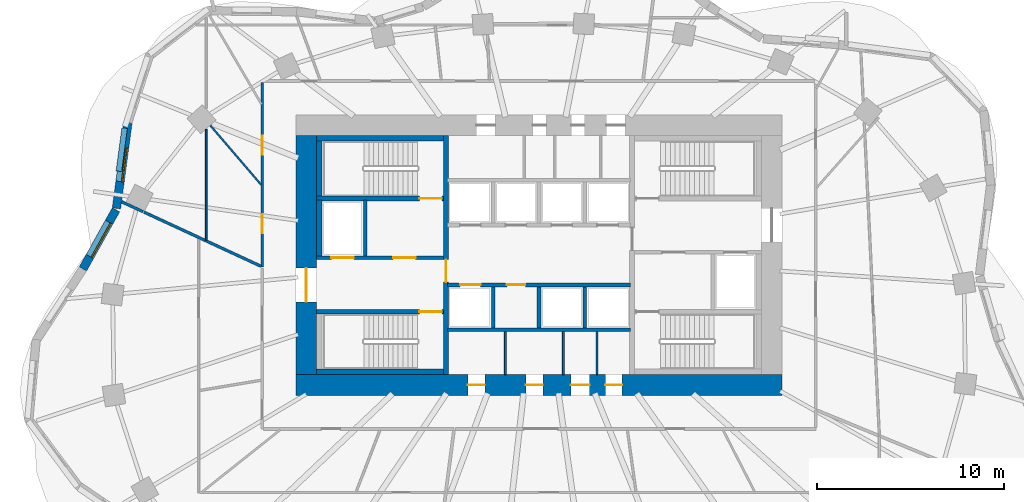
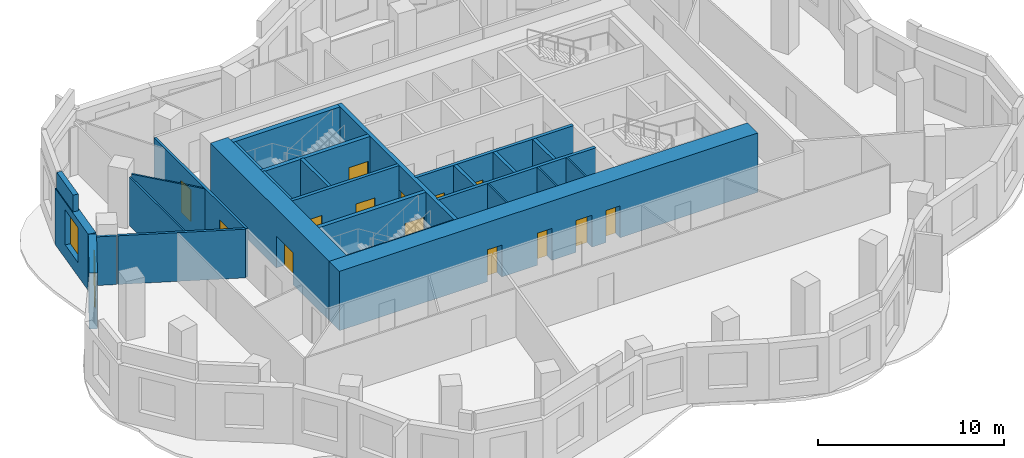
# One storey, part 4 of 9: 27 walls, 14 doors, 2 windows, 16 openings.
"""IFC4 building model written with IfcOpenShell, lengths in metres."""

from ifc_helpers import new_model, si_unit, direction, frame, frame_2d, origin, place, context, subcontext, project, spatial, rectangle, extrude, material, layer, layer_set, type_object, element, fill, save


model = new_model("IFC4")

# Units and contexts
model_context = context("Model", 3, precision=1e-05, world=origin(), true_north=direction((0.0, 1.0)))
body_context = subcontext(model_context, "Body", "Model", "MODEL_VIEW")
ifc_project = project(units=[si_unit("LENGTHUNIT", "METRE"), si_unit("AREAUNIT", "SQUARE_METRE"), si_unit("VOLUMEUNIT", "CUBIC_METRE"), si_unit("PLANEANGLEUNIT", "RADIAN"), si_unit("MASSUNIT", "GRAM", prefix="KILO")], contexts=[model_context])

# Site, building, storey
site_placement = place(None, origin())
site = spatial("IfcSite", under=ifc_project, at=site_placement, CompositionType="ELEMENT")
building_placement = place(site_placement, origin())
building = spatial("IfcBuilding", under=site, at=building_placement, Name="Rubra Terraces Tower", CompositionType="ELEMENT")
storey_placement = place(building_placement, frame((0.0, 0.0, 130.5)))
storey = spatial("IfcBuildingStorey", under=building, at=storey_placement, Name="L31", CompositionType="ELEMENT", Elevation=130.5)

# Wall, opening, window
ifc_material_1 = material(Name="Brick masonry red-brown", Category="masonry")
ifc_layer_1 = layer(ifc_material_1, 0.449951171875)
ifc_layer_set_1 = layer_set([ifc_layer_1], Name="Brick masonry red-brown")
wall_type_1 = type_object("IfcWallType", Name="Brick facade wall 450", PredefinedType="SOLIDWALL", material=ifc_layer_set_1)
wall_1_placement = place(storey_placement, frame((-21.97705078125, 11.652099609375, 0.0), z_axis=(0.0, 0.0, 1.0), x_axis=(-0.132606175271, -0.991168806148, 0.0)))
wall_1 = element("IfcWall", 1, at=wall_1_placement, inside=storey, type_object=wall_type_1, Name="Facade wall L31 bay 18", PredefinedType="SOLIDWALL", context=body_context, shape_type="SweptSolid", body=[
    extrude(rectangle(XDim=4.698486328125, YDim=0.449951171875, at=frame_2d((2.34912109375, 0.0))), origin(), (0.0, 0.0, 1.0), 3.699951171875),
])
opening_1_placement = place(wall_1_placement, frame((1.44921875, 0.0, 0.89990234375)))
opening_1 = element("IfcOpeningElement", 2, at=opening_1_placement, cuts=wall_1, Name="Opening W6B", PredefinedType="OPENING", context=body_context, shape_type="SweptSolid", body=[
    extrude(rectangle(XDim=1.800048828125, YDim=2.300048828125, at=frame_2d((0.89990234375, 1.14990234375))), frame((0.0, 0.23486328125, 0.0), z_axis=(0.0, -1.0, 0.0), x_axis=(1.0, 0.0, 0.0)), (0.0, 0.0, 1.0), 0.469970703125),
])
ifc_material_2 = material(Name="Clear glass in aluminium frame", Category="aluminium")
window_type_1 = type_object("IfcWindowType", Name="Fixed deep-set window at wind fin tall storey 1800 x 2300", PartitioningType="SINGLE_PANEL", PredefinedType="WINDOW", material=ifc_material_2)
window_1_placement = place(opening_1_placement, origin())
window_1 = element("IfcWindow", 3, at=window_1_placement, inside=storey, type_object=window_type_1, Name="Window L31 bay 18", OverallHeight=2.300048828125, OverallWidth=1.800048828125, PartitioningType="SINGLE_PANEL", PredefinedType="WINDOW", context=body_context, shape_type="SweptSolid", body=[
    extrude(rectangle(XDim=1.800048828125, YDim=2.300048828125, at=frame_2d((0.89990234375, 1.14990234375))), frame((0.0, 0.135009765625, 0.0), z_axis=(0.0, -1.0, 0.0), x_axis=(1.0, 0.0, 0.0)), (0.0, 0.0, 1.0), 0.06005859375),
])
fill(opening_1, window_1)

wall_2_placement = place(storey_placement, frame((-22.623779296875, 6.920166015625, 0.0), z_axis=(0.0, 0.0, 1.0), x_axis=(-0.488352973107, -0.872646190422, 0.0)))
wall_2 = element("IfcWall", 4, at=wall_2_placement, inside=storey, type_object=wall_type_1, Name="Facade wall L31 bay 19", PredefinedType="SOLIDWALL", context=body_context, shape_type="SweptSolid", body=[
    extrude(rectangle(XDim=3.62255859375, YDim=0.449951171875, at=frame_2d((1.811279296875, 0.0))), origin(), (0.0, 0.0, 1.0), 3.699951171875),
])
opening_2_placement = place(wall_2_placement, frame((0.760986328125, 0.0, 0.89990234375)))
opening_2 = element("IfcOpeningElement", 5, at=opening_2_placement, cuts=wall_2, Name="Opening W1B", PredefinedType="OPENING", context=body_context, shape_type="SweptSolid", body=[
    extrude(rectangle(XDim=2.10009765625, YDim=2.300048828125, at=frame_2d((1.050048828125, 1.14990234375))), frame((0.0, 0.23486328125, 0.0), z_axis=(0.0, -1.0, 0.0), x_axis=(1.0, 0.0, 0.0)), (0.0, 0.0, 1.0), 0.469970703125),
])
window_type_2 = type_object("IfcWindowType", Name="Fixed deep-set window tall storey 2100 x 2300", PartitioningType="SINGLE_PANEL", PredefinedType="WINDOW", material=ifc_material_2)
window_2_placement = place(opening_2_placement, origin())
window_2 = element("IfcWindow", 6, at=window_2_placement, inside=storey, type_object=window_type_2, Name="Window L31 bay 19", OverallHeight=2.300048828125, OverallWidth=2.10009765625, PartitioningType="SINGLE_PANEL", PredefinedType="WINDOW", context=body_context, shape_type="SweptSolid", body=[
    extrude(rectangle(XDim=2.10009765625, YDim=2.300048828125, at=frame_2d((1.050048828125, 1.14990234375))), frame((0.0, 0.135009765625, 0.0), z_axis=(0.0, -1.0, 0.0), x_axis=(1.0, 0.0, 0.0)), (0.0, 0.0, 1.0), 0.06005859375),
])
fill(opening_2, window_2)

# Wall
ifc_layer_2 = layer(ifc_material_1, 0.300048828125)
ifc_layer_set_2 = layer_set([ifc_layer_2], Name="Brick masonry red-brown")
wall_type_2 = type_object("IfcWallType", Name="Brick parapet 300", PredefinedType="PARAPET", material=ifc_layer_set_2)
wall_3_placement = place(storey_placement, frame((-22.161865234375, 11.28759765625, 3.89990234375), z_axis=(0.0, 0.0, 1.0), x_axis=(-0.132583148979, -0.991171886509, 0.0)))
element("IfcWall", 7, at=wall_3_placement, inside=storey, type_object=wall_type_2, Name="Parapet L31 bay 18", PredefinedType="PARAPET", context=body_context, shape_type="SweptSolid", body=[
    extrude(rectangle(XDim=2.32568359375, YDim=0.300048828125, at=frame_2d((1.162841796875, 0.0))), origin(), (0.0, 0.0, 1.0), 1.10009765625),
])

# Wall, openings, doors
ifc_material_3 = material(Name="Concrete C60", Category="concrete")
ifc_layer_3 = layer(ifc_material_3, 1.10009765625)
ifc_layer_set_3 = layer_set([ifc_layer_3], Name="Concrete C60")
wall_type_3 = type_object("IfcWallType", Name="CORE WALL 1100 C60", PredefinedType="SHEAR", material=ifc_layer_set_3)
wall_4_placement = place(storey_placement, frame((-13.0, -2.449951171875, 0.0), z_axis=(0.0, 0.0, 1.0), x_axis=(1.0, 0.0, 0.0)))
wall_4 = element("IfcWall", 8, at=wall_4_placement, inside=storey, type_object=wall_type_3, Name="CORE WALL S L31", PredefinedType="SHEAR", context=body_context, shape_type="SweptSolid", body=[
    extrude(rectangle(XDim=26.0, YDim=1.10009765625, at=frame_2d((13.0, 0.0))), origin(), (0.0, 0.0, 1.0), 3.89990234375),
])
opening_3_placement = place(wall_4_placement, frame((9.199951171875, 0.0, 0.0)))
opening_3 = element("IfcOpeningElement", 9, at=opening_3_placement, cuts=wall_4, Name="Opening L31.C19", PredefinedType="OPENING", context=body_context, shape_type="SweptSolid", body=[
    extrude(rectangle(XDim=0.89990234375, YDim=2.10009765625, at=frame_2d((0.449951171875, 1.050048828125))), frame((0.0, 0.56005859375, 0.0), z_axis=(0.0, -1.0, 0.0), x_axis=(1.0, 0.0, 0.0)), (0.0, 0.0, 1.0), 1.1201171875),
])
opening_4_placement = place(wall_4_placement, frame((12.300048828125, 0.0, 0.0)))
opening_4 = element("IfcOpeningElement", 10, at=opening_4_placement, cuts=wall_4, Name="Opening L31.C20", PredefinedType="OPENING", context=body_context, shape_type="SweptSolid", body=[
    extrude(rectangle(XDim=0.89990234375, YDim=2.10009765625, at=frame_2d((0.449951171875, 1.050048828125))), frame((0.0, 0.56005859375, 0.0), z_axis=(0.0, -1.0, 0.0), x_axis=(1.0, 0.0, 0.0)), (0.0, 0.0, 1.0), 1.1201171875),
])
opening_5_placement = place(wall_4_placement, frame((14.699951171875, 0.0, 0.0)))
opening_5 = element("IfcOpeningElement", 11, at=opening_5_placement, cuts=wall_4, Name="Opening L31.C21", PredefinedType="OPENING", context=body_context, shape_type="SweptSolid", body=[
    extrude(rectangle(XDim=1.0, YDim=2.10009765625, at=frame_2d((0.5, 1.050048828125))), frame((0.0, 0.56005859375, 0.0), z_axis=(0.0, -1.0, 0.0), x_axis=(1.0, 0.0, 0.0)), (0.0, 0.0, 1.0), 1.1201171875),
])
opening_6_placement = place(wall_4_placement, frame((16.550048828125, 0.0, 0.0)))
opening_6 = element("IfcOpeningElement", 12, at=opening_6_placement, cuts=wall_4, Name="Opening L31.C22", PredefinedType="OPENING", context=body_context, shape_type="SweptSolid", body=[
    extrude(rectangle(XDim=0.89990234375, YDim=2.10009765625, at=frame_2d((0.449951171875, 1.050048828125))), frame((0.0, 0.56005859375, 0.0), z_axis=(0.0, -1.0, 0.0), x_axis=(1.0, 0.0, 0.0)), (0.0, 0.0, 1.0), 1.1201171875),
])
ifc_material_4 = material(Name="Painted steel", Category="steel")
door_type_1 = type_object("IfcDoorType", Name="Fire door 1000x2100 single", OperationType="NOTDEFINED", PredefinedType="DOOR", material=ifc_material_4)
door_1_placement = place(opening_5_placement, origin())
door_1 = element("IfcDoor", 13, at=door_1_placement, inside=storey, type_object=door_type_1, Name="Accessible WC door", OperationType="SINGLE_SWING_LEFT", OverallHeight=2.10009765625, OverallWidth=1.0, PredefinedType="DOOR", context=body_context, shape_type="SweptSolid", body=[
    extrude(rectangle(XDim=1.0, YDim=2.10009765625, at=frame_2d((0.5, 1.050048828125))), frame((0.0, 0.02490234375, 0.0), z_axis=(0.0, -1.0, 0.0), x_axis=(1.0, 0.0, 0.0)), (0.0, 0.0, 1.0), 0.050048828125),
])
fill(opening_5, door_1)
door_type_2 = type_object("IfcDoorType", Name="Fire door 900x2100 single", OperationType="NOTDEFINED", PredefinedType="DOOR", material=ifc_material_4)
door_2_placement = place(opening_3_placement, origin())
door_2 = element("IfcDoor", 14, at=door_2_placement, inside=storey, type_object=door_type_2, Name="Gents WC door", OperationType="SINGLE_SWING_LEFT", OverallHeight=2.10009765625, OverallWidth=0.89990234375, PredefinedType="DOOR", context=body_context, shape_type="SweptSolid", body=[
    extrude(rectangle(XDim=0.89990234375, YDim=2.10009765625, at=frame_2d((0.449951171875, 1.050048828125))), frame((0.0, 0.02490234375, 0.0), z_axis=(0.0, -1.0, 0.0), x_axis=(1.0, 0.0, 0.0)), (0.0, 0.0, 1.0), 0.050048828125),
])
fill(opening_3, door_2)
door_3_placement = place(opening_4_placement, origin())
door_3 = element("IfcDoor", 15, at=door_3_placement, inside=storey, type_object=door_type_2, Name="Ladies WC door", OperationType="SINGLE_SWING_RIGHT", OverallHeight=2.10009765625, OverallWidth=0.89990234375, PredefinedType="DOOR", context=body_context, shape_type="SweptSolid", body=[
    extrude(rectangle(XDim=0.89990234375, YDim=2.10009765625, at=frame_2d((0.449951171875, 1.050048828125))), frame((0.0, 0.02490234375, 0.0), z_axis=(0.0, -1.0, 0.0), x_axis=(1.0, 0.0, 0.0)), (0.0, 0.0, 1.0), 0.050048828125),
])
fill(opening_4, door_3)
door_4_placement = place(opening_6_placement, origin())
door_4 = element("IfcDoor", 16, at=door_4_placement, inside=storey, type_object=door_type_2, Name="Cleaner's store door", OperationType="SINGLE_SWING_RIGHT", OverallHeight=2.10009765625, OverallWidth=0.89990234375, PredefinedType="DOOR", context=body_context, shape_type="SweptSolid", body=[
    extrude(rectangle(XDim=0.89990234375, YDim=2.10009765625, at=frame_2d((0.449951171875, 1.050048828125))), frame((0.0, 0.02490234375, 0.0), z_axis=(0.0, -1.0, 0.0), x_axis=(1.0, 0.0, 0.0)), (0.0, 0.0, 1.0), 0.050048828125),
])
fill(opening_6, door_4)

# Wall, opening, door
wall_5_placement = place(storey_placement, frame((-12.449951171875, -1.89990234375, 0.0), z_axis=(0.0, 0.0, 1.0), x_axis=(0.0, 1.0, 0.0)))
wall_5 = element("IfcWall", 17, at=wall_5_placement, inside=storey, type_object=wall_type_3, Name="CORE WALL W L31", PredefinedType="SHEAR", context=body_context, shape_type="SweptSolid", body=[
    extrude(rectangle(XDim=12.7998046875, YDim=1.10009765625, at=frame_2d((6.39990234375, 0.0))), origin(), (0.0, 0.0, 1.0), 3.89990234375),
])
opening_7_placement = place(wall_5_placement, frame((3.89990234375, 0.0, 0.0)))
opening_7 = element("IfcOpeningElement", 18, at=opening_7_placement, cuts=wall_5, Name="Opening L31.C01", PredefinedType="OPENING", context=body_context, shape_type="SweptSolid", body=[
    extrude(rectangle(XDim=1.800048828125, YDim=2.10009765625, at=frame_2d((0.89990234375, 1.050048828125))), frame((0.0, 0.56005859375, 0.0), z_axis=(0.0, -1.0, 0.0), x_axis=(1.0, 0.0, 0.0)), (0.0, 0.0, 1.0), 1.1201171875),
])
door_type_3 = type_object("IfcDoorType", Name="Fire door 1800x2100 double", OperationType="NOTDEFINED", PredefinedType="DOOR", material=ifc_material_4)
door_5_placement = place(opening_7_placement, origin())
door_5 = element("IfcDoor", 19, at=door_5_placement, inside=storey, type_object=door_type_3, Name="Core entrance door FF1", OperationType="DOUBLE_DOOR_SINGLE_SWING", OverallHeight=2.10009765625, OverallWidth=1.800048828125, PredefinedType="DOOR", context=body_context, shape_type="SweptSolid", body=[
    extrude(rectangle(XDim=1.800048828125, YDim=2.10009765625, at=frame_2d((0.89990234375, 1.050048828125))), frame((0.0, 0.02490234375, 0.0), z_axis=(0.0, -1.0, 0.0), x_axis=(1.0, 0.0, 0.0)), (0.0, 0.0, 1.0), 0.050048828125),
])
fill(opening_7, door_5)

# Wall, openings, doors
ifc_material_5 = material(Name="Plasterboard on steel stud, mineral wool infill", Category="steel")
ifc_layer_4 = layer(ifc_material_5, 0.14990234375)
ifc_layer_set_4 = layer_set([ifc_layer_4], Name="Plasterboard on steel stud, mineral wool infill")
wall_type_4 = type_object("IfcWallType", Name="CORRIDOR PARTITION 150", PredefinedType="PARTITIONING", material=ifc_layer_set_4)
wall_6_placement = place(storey_placement, frame((-14.800048828125, 13.72509765625, 0.0), z_axis=(0.0, 0.0, 1.0), x_axis=(0.0, -1.0, 0.0)))
wall_6 = element("IfcWall", 20, at=wall_6_placement, inside=storey, type_object=wall_type_4, Name="PARTITION", PredefinedType="PARTITIONING", context=body_context, shape_type="SweptSolid", body=[
    extrude(rectangle(XDim=9.857177734375, YDim=0.14990234375, at=frame_2d((4.9287109375, 0.0))), origin(), (0.0, 0.0, 1.0), 3.197998046875),
])
opening_8_placement = place(wall_6_placement, frame((2.85009765625, 0.0, 0.0)))
opening_8 = element("IfcOpeningElement", 21, at=opening_8_placement, cuts=wall_6, Name="Opening 31-118", PredefinedType="OPENING", context=body_context, shape_type="SweptSolid", body=[
    extrude(rectangle(XDim=1.0, YDim=2.10009765625, at=frame_2d((0.5, 1.050048828125))), frame((0.0, 0.0849609375, 0.0), z_axis=(0.0, -1.0, 0.0), x_axis=(1.0, 0.0, 0.0)), (0.0, 0.0, 1.0), 0.169921875),
])
opening_9_placement = place(wall_6_placement, frame((7.050048828125, 0.0, 0.0)))
opening_9 = element("IfcOpeningElement", 22, at=opening_9_placement, cuts=wall_6, Name="Opening 31-119", PredefinedType="OPENING", context=body_context, shape_type="SweptSolid", body=[
    extrude(rectangle(XDim=1.0, YDim=2.10009765625, at=frame_2d((0.5, 1.050048828125))), frame((0.0, 0.0849609375, 0.0), z_axis=(0.0, -1.0, 0.0), x_axis=(1.0, 0.0, 0.0)), (0.0, 0.0, 1.0), 0.169921875),
])
ifc_material_6 = material(Name="Painted timber door leaf", Category="wood")
door_type_4 = type_object("IfcDoorType", Name="ROOM DOOR 1000 X 2100", OperationType="SINGLE_SWING_LEFT", PredefinedType="DOOR", material=ifc_material_6)
door_6_placement = place(opening_8_placement, origin())
door_6 = element("IfcDoor", 23, at=door_6_placement, inside=storey, type_object=door_type_4, Name="DOOR 31-118", OperationType="SINGLE_SWING_RIGHT", OverallHeight=2.10009765625, OverallWidth=1.0, PredefinedType="DOOR", context=body_context, shape_type="SweptSolid", body=[
    extrude(rectangle(XDim=1.0, YDim=2.10009765625, at=frame_2d((0.5, 1.050048828125))), frame((0.0, 0.02490234375, 0.0), z_axis=(0.0, -1.0, 0.0), x_axis=(1.0, 0.0, 0.0)), (0.0, 0.0, 1.0), 0.050048828125),
])
fill(opening_8, door_6)
door_7_placement = place(opening_9_placement, origin())
door_7 = element("IfcDoor", 24, at=door_7_placement, inside=storey, type_object=door_type_4, Name="DOOR 31-119", OperationType="SINGLE_SWING_RIGHT", OverallHeight=2.10009765625, OverallWidth=1.0, PredefinedType="DOOR", context=body_context, shape_type="SweptSolid", body=[
    extrude(rectangle(XDim=1.0, YDim=2.10009765625, at=frame_2d((0.5, 1.050048828125))), frame((0.0, 0.02490234375, 0.0), z_axis=(0.0, -1.0, 0.0), x_axis=(1.0, 0.0, 0.0)), (0.0, 0.0, 1.0), 0.050048828125),
])
fill(opening_9, door_7)

# Walls
ifc_material_7 = material(Name="Concrete C40", Category="concrete")
ifc_layer_5 = layer(ifc_material_7, 0.300048828125)
ifc_layer_set_5 = layer_set([ifc_layer_5], Name="Concrete C40")
wall_type_5 = type_object("IfcWallType", Name="Core lining wall 300 concrete", PredefinedType="SOLIDWALL", material=ifc_layer_set_5)
wall_7_placement = place(storey_placement, frame((-11.89990234375, -1.75, 0.0), z_axis=(0.0, 0.0, 1.0), x_axis=(1.0, 0.0, 0.0)))
element("IfcWall", 25, at=wall_7_placement, inside=storey, type_object=wall_type_5, Name="CORE LINING WALL L31", PredefinedType="SOLIDWALL", context=body_context, shape_type="SweptSolid", body=[
    extrude(rectangle(XDim=6.7998046875, YDim=0.300048828125, at=frame_2d((3.39990234375, 0.0))), origin(), (0.0, 0.0, 1.0), 3.699951171875),
])
wall_8_placement = place(storey_placement, frame((-11.75, 4.449951171875, 0.0), z_axis=(0.0, 0.0, 1.0), x_axis=(0.0, 1.0, 0.0)))
element("IfcWall", 26, at=wall_8_placement, inside=storey, type_object=wall_type_5, Name="CORE LINING WALL L31", PredefinedType="SOLIDWALL", context=body_context, shape_type="SweptSolid", body=[
    extrude(rectangle(XDim=3.0, YDim=0.300048828125, at=frame_2d((1.5, 0.0))), origin(), (0.0, 0.0, 1.0), 3.699951171875),
])
wall_9_placement = place(storey_placement, frame((-11.75, 7.64990234375, 0.0), z_axis=(0.0, 0.0, 1.0), x_axis=(0.0, 1.0, 0.0)))
element("IfcWall", 27, at=wall_9_placement, inside=storey, type_object=wall_type_5, Name="CORE LINING WALL L31", PredefinedType="SOLIDWALL", context=body_context, shape_type="SweptSolid", body=[
    extrude(rectangle(XDim=2.9501953125, YDim=0.300048828125, at=frame_2d((1.47509765625, 0.0))), origin(), (0.0, 0.0, 1.0), 3.699951171875),
])
wall_10_placement = place(storey_placement, frame((-11.89990234375, 10.75, 0.0), z_axis=(0.0, 0.0, 1.0), x_axis=(1.0, 0.0, 0.0)))
element("IfcWall", 28, at=wall_10_placement, inside=storey, type_object=wall_type_5, Name="CORE LINING WALL L31", PredefinedType="SOLIDWALL", context=body_context, shape_type="SweptSolid", body=[
    extrude(rectangle(XDim=6.7998046875, YDim=0.300048828125, at=frame_2d((3.39990234375, 0.0))), origin(), (0.0, 0.0, 1.0), 3.699951171875),
])

# Wall, openings, doors
ifc_material_8 = material(Name="Concrete C30", Category="concrete")
ifc_layer_6 = layer(ifc_material_8, 0.199951171875)
ifc_layer_set_6 = layer_set([ifc_layer_6], Name="Concrete C30")
wall_type_6 = type_object("IfcWallType", Name="Core wall 200 concrete", PredefinedType="SOLIDWALL", material=ifc_layer_set_6)
wall_11_placement = place(storey_placement, frame((-11.89990234375, 4.35009765625, 0.0), z_axis=(0.0, 0.0, 1.0), x_axis=(1.0, 0.0, 0.0)))
wall_11 = element("IfcWall", 29, at=wall_11_placement, inside=storey, type_object=wall_type_6, Name="STAIR WALL L31", PredefinedType="SOLIDWALL", context=body_context, shape_type="SweptSolid", body=[
    extrude(rectangle(XDim=6.7998046875, YDim=0.199951171875, at=frame_2d((3.39990234375, 0.0))), origin(), (0.0, 0.0, 1.0), 3.699951171875),
])
opening_10_placement = place(wall_11_placement, frame((4.10009765625, 0.0, 0.0)))
opening_10 = element("IfcOpeningElement", 30, at=opening_10_placement, cuts=wall_11, Name="Opening L31.C05", PredefinedType="OPENING", context=body_context, shape_type="SweptSolid", body=[
    extrude(rectangle(XDim=1.199951171875, YDim=2.10009765625, at=frame_2d((0.60009765625, 1.050048828125))), frame((0.0, 0.10986328125, 0.0), z_axis=(0.0, -1.0, 0.0), x_axis=(1.0, 0.0, 0.0)), (0.0, 0.0, 1.0), 0.219970703125),
])
opening_11_placement = place(wall_11_placement, frame((0.800048828125, 0.0, 0.0)))
opening_11 = element("IfcOpeningElement", 31, at=opening_11_placement, cuts=wall_11, Name="Opening L31.C11", PredefinedType="OPENING", context=body_context, shape_type="SweptSolid", body=[
    extrude(rectangle(XDim=1.199951171875, YDim=2.10009765625, at=frame_2d((0.60009765625, 1.050048828125))), frame((0.0, 0.10986328125, 0.0), z_axis=(0.0, -1.0, 0.0), x_axis=(1.0, 0.0, 0.0)), (0.0, 0.0, 1.0), 0.219970703125),
])
door_type_5 = type_object("IfcDoorType", Name="Fire door 1200x2100 single", OperationType="NOTDEFINED", PredefinedType="DOOR", material=ifc_material_4)
door_8_placement = place(opening_10_placement, origin())
door_8 = element("IfcDoor", 32, at=door_8_placement, inside=storey, type_object=door_type_5, Name="Stair vestibule door S2", OperationType="SINGLE_SWING_LEFT", OverallHeight=2.10009765625, OverallWidth=1.199951171875, PredefinedType="DOOR", context=body_context, shape_type="SweptSolid", body=[
    extrude(rectangle(XDim=1.199951171875, YDim=2.10009765625, at=frame_2d((0.60009765625, 1.050048828125))), frame((0.0, 0.02490234375, 0.0), z_axis=(0.0, -1.0, 0.0), x_axis=(1.0, 0.0, 0.0)), (0.0, 0.0, 1.0), 0.050048828125),
])
fill(opening_10, door_8)
ifc_material_9 = material(Name="Stainless steel", Category="steel")
door_type_6 = type_object("IfcDoorType", Name="Lift landing door 1200x2100", OperationType="NOTDEFINED", PredefinedType="DOOR", material=ifc_material_9)
door_9_placement = place(opening_11_placement, origin())
door_9 = element("IfcDoor", 33, at=door_9_placement, inside=storey, type_object=door_type_6, Name="Landing door FF1", OperationType="SLIDING_TO_RIGHT", OverallHeight=2.10009765625, OverallWidth=1.199951171875, PredefinedType="DOOR", context=body_context, shape_type="SweptSolid", body=[
    extrude(rectangle(XDim=1.199951171875, YDim=2.10009765625, at=frame_2d((0.60009765625, 1.050048828125))), frame((0.0, 0.02490234375, 0.0), z_axis=(0.0, -1.0, 0.0), x_axis=(1.0, 0.0, 0.0)), (0.0, 0.0, 1.0), 0.050048828125),
])
fill(opening_11, door_9)

# Walls
wall_12_placement = place(storey_placement, frame((-9.300048828125, 4.449951171875, 0.0), z_axis=(0.0, 0.0, 1.0), x_axis=(0.0, 1.0, 0.0)))
element("IfcWall", 34, at=wall_12_placement, inside=storey, type_object=wall_type_6, Name="STAIR WALL L31", PredefinedType="SOLIDWALL", context=body_context, shape_type="SweptSolid", body=[
    extrude(rectangle(XDim=3.0, YDim=0.199951171875, at=frame_2d((1.5, 0.0))), origin(), (0.0, 0.0, 1.0), 3.699951171875),
])
wall_13_placement = place(storey_placement, frame((-4.89990234375, 0.5, 0.0), z_axis=(0.0, 0.0, 1.0), x_axis=(1.0, 0.0, 0.0)))
element("IfcWall", 35, at=wall_13_placement, inside=storey, type_object=wall_type_6, Name="LIFT SHAFT WALL L31", PredefinedType="SOLIDWALL", context=body_context, shape_type="SweptSolid", body=[
    extrude(rectangle(XDim=9.7998046875, YDim=0.199951171875, at=frame_2d((4.89990234375, 0.0))), origin(), (0.0, 0.0, 1.0), 3.699951171875),
])

# Wall, openings, doors
wall_14_placement = place(storey_placement, frame((-4.89990234375, 2.89990234375, 0.0), z_axis=(0.0, 0.0, 1.0), x_axis=(1.0, 0.0, 0.0)))
wall_14 = element("IfcWall", 36, at=wall_14_placement, inside=storey, type_object=wall_type_6, Name="LIFT SHAFT WALL L31", PredefinedType="SOLIDWALL", context=body_context, shape_type="SweptSolid", body=[
    extrude(rectangle(XDim=9.7998046875, YDim=0.199951171875, at=frame_2d((4.89990234375, 0.0))), origin(), (0.0, 0.0, 1.0), 3.699951171875),
])
opening_12_placement = place(wall_14_placement, frame((0.675048828125, 0.0, 0.0)))
opening_12 = element("IfcOpeningElement", 37, at=opening_12_placement, cuts=wall_14, Name="Opening L31.C13", PredefinedType="OPENING", context=body_context, shape_type="SweptSolid", body=[
    extrude(rectangle(XDim=1.10009765625, YDim=2.10009765625, at=frame_2d((0.550048828125, 1.050048828125))), frame((0.0, 0.10986328125, 0.0), z_axis=(0.0, -1.0, 0.0), x_axis=(1.0, 0.0, 0.0)), (0.0, 0.0, 1.0), 0.219970703125),
])
opening_13_placement = place(wall_14_placement, frame((3.175048828125, 0.0, 0.0)))
opening_13 = element("IfcOpeningElement", 38, at=opening_13_placement, cuts=wall_14, Name="Opening L31.C14", PredefinedType="OPENING", context=body_context, shape_type="SweptSolid", body=[
    extrude(rectangle(XDim=1.0, YDim=2.10009765625, at=frame_2d((0.5, 1.050048828125))), frame((0.0, 0.10986328125, 0.0), z_axis=(0.0, -1.0, 0.0), x_axis=(1.0, 0.0, 0.0)), (0.0, 0.0, 1.0), 0.219970703125),
])
door_10_placement = place(opening_13_placement, origin())
door_10 = element("IfcDoor", 39, at=door_10_placement, inside=storey, type_object=door_type_1, Name="Lift motor room door", OperationType="SINGLE_SWING_RIGHT", OverallHeight=2.10009765625, OverallWidth=1.0, PredefinedType="DOOR", context=body_context, shape_type="SweptSolid", body=[
    extrude(rectangle(XDim=1.0, YDim=2.10009765625, at=frame_2d((0.5, 1.050048828125))), frame((0.0, 0.02490234375, 0.0), z_axis=(0.0, -1.0, 0.0), x_axis=(1.0, 0.0, 0.0)), (0.0, 0.0, 1.0), 0.050048828125),
])
fill(opening_13, door_10)
door_type_7 = type_object("IfcDoorType", Name="Lift landing door 1100x2100", OperationType="NOTDEFINED", PredefinedType="DOOR", material=ifc_material_9)
door_11_placement = place(opening_12_placement, origin())
door_11 = element("IfcDoor", 40, at=door_11_placement, inside=storey, type_object=door_type_7, Name="Landing door HB1", OperationType="SLIDING_TO_RIGHT", OverallHeight=2.10009765625, OverallWidth=1.10009765625, PredefinedType="DOOR", context=body_context, shape_type="SweptSolid", body=[
    extrude(rectangle(XDim=1.10009765625, YDim=2.10009765625, at=frame_2d((0.550048828125, 1.050048828125))), frame((0.0, 0.02490234375, 0.0), z_axis=(0.0, -1.0, 0.0), x_axis=(1.0, 0.0, 0.0)), (0.0, 0.0, 1.0), 0.050048828125),
])
fill(opening_12, door_11)

# Walls
for number, where, z_axis, x_axis, name in (
    (41, (-2.449951171875, 0.60009765625, 0.0), (0.0, 0.0, 1.0), (0.0, 1.0, 0.0), "LIFT SHAFT WALL L31"),
    (42, (0.0, 0.60009765625, 0.0), (0.0, 0.0, 1.0), (0.0, 1.0, 0.0), "LIFT SHAFT WALL L31"),
    (43, (2.449951171875, 0.60009765625, 0.0), (0.0, 0.0, 1.0), (0.0, 1.0, 0.0), "LIFT SHAFT WALL L31"),
):
    element("IfcWall", number, at=place(storey_placement, frame(where, z_axis=z_axis, x_axis=x_axis)), inside=storey, type_object=wall_type_6, Name=name, PredefinedType="SOLIDWALL", context=body_context, shape_type="SweptSolid", body=[
        extrude(rectangle(XDim=2.199951171875, YDim=0.199951171875, at=frame_2d((1.10009765625, 0.0))), origin(), (0.0, 0.0, 1.0), 3.699951171875),
    ])
ifc_material_10 = material(Name="Plasterboard on steel stud", Category="steel")
ifc_layer_7 = layer(ifc_material_10, 0.10009765625)
ifc_layer_set_7 = layer_set([ifc_layer_7], Name="Plasterboard on steel stud")
wall_type_7 = type_object("IfcWallType", Name="ROOM PARTITION 100", PredefinedType="PARTITIONING", material=ifc_layer_set_7)
wall_15_placement = place(storey_placement, frame((-17.800048828125, 5.2783203125, 0.0), z_axis=(0.0, 0.0, 1.0), x_axis=(0.0, 1.0, 0.0)))
element("IfcWall", 44, at=wall_15_placement, inside=storey, type_object=wall_type_7, Name="PARTITION", PredefinedType="PARTITIONING", context=body_context, shape_type="SweptSolid", body=[
    extrude(rectangle(XDim=5.944580078125, YDim=0.10009765625, at=frame_2d((2.97216796875, 0.0))), origin(), (0.0, 0.0, 1.0), 3.18408203125),
])
wall_16_placement = place(storey_placement, frame((-14.848876953125, 8.243896484375, 0.0), z_axis=(0.0, 0.0, 1.0), x_axis=(-0.650724168588, 0.759314201379, 0.0)))
element("IfcWall", 45, at=wall_16_placement, inside=storey, type_object=wall_type_7, Name="PARTITION", PredefinedType="PARTITIONING", context=body_context, shape_type="SweptSolid", body=[
    extrude(rectangle(XDim=4.1884765625, YDim=0.10009765625, at=frame_2d((2.09423828125, 0.0))), origin(), (0.0, 0.0, 1.0), 3.18408203125),
])
ifc_layer_8 = layer(ifc_material_10, 0.14990234375)
ifc_layer_set_8 = layer_set([ifc_layer_8], Name="Plasterboard on steel stud")
wall_type_8 = type_object("IfcWallType", Name="ROOM PARTITION 150", PredefinedType="PARTITIONING", material=ifc_layer_set_8)
wall_17_placement = place(storey_placement, frame((-22.32177734375, 7.3486328125, 0.0), z_axis=(0.0, 0.0, 1.0), x_axis=(0.907565840297, -0.419909806418, 0.0)))
element("IfcWall", 46, at=wall_17_placement, inside=storey, type_object=wall_type_8, Name="PARTITION", PredefinedType="PARTITIONING", context=body_context, shape_type="SweptSolid", body=[
    extrude(rectangle(XDim=1.254150390625, YDim=0.14990234375, at=frame_2d((0.626953125, 0.0))), origin(), (0.0, 0.0, 1.0), 3.197998046875),
])
wall_18_placement = place(storey_placement, frame((-21.124755859375, 6.794921875, 0.0), z_axis=(0.0, 0.0, 1.0), x_axis=(0.907525653009, -0.419996653713, 0.0)))
element("IfcWall", 47, at=wall_18_placement, inside=storey, type_object=wall_type_8, Name="PARTITION", PredefinedType="PARTITIONING", context=body_context, shape_type="SweptSolid", body=[
    extrude(rectangle(XDim=6.89404296875, YDim=0.14990234375, at=frame_2d((3.447021484375, 0.0))), origin(), (0.0, 0.0, 1.0), 3.197998046875),
])
ifc_material_11 = material(Name="Blockwork", Category="masonry")
ifc_layer_9 = layer(ifc_material_11, 0.10009765625)
ifc_layer_set_9 = layer_set([ifc_layer_9], Name="Blockwork")
wall_type_9 = type_object("IfcWallType", Name="Service partition 100 blockwork", PredefinedType="PARTITIONING", material=ifc_layer_set_9)
for number, where, z_axis, x_axis, name in (
    (48, (-1.800048828125, -1.89990234375, 0.0), (0.0, 0.0, 1.0), (0.0, 1.0, 0.0), "SERVICE ROOM PARTITION L31"),
    (49, (1.300048828125, -1.89990234375, 0.0), (0.0, 0.0, 1.0), (0.0, 1.0, 0.0), "SERVICE ROOM PARTITION L31"),
    (50, (3.10009765625, -1.89990234375, 0.0), (0.0, 0.0, 1.0), (0.0, 1.0, 0.0), "SERVICE ROOM PARTITION L31"),
):
    element("IfcWall", number, at=place(storey_placement, frame(where, z_axis=z_axis, x_axis=x_axis)), inside=storey, type_object=wall_type_9, Name=name, PredefinedType="PARTITIONING", context=body_context, shape_type="SweptSolid", body=[
        extrude(rectangle(XDim=2.2998046875, YDim=0.10009765625, at=frame_2d((1.14990234375, 0.0))), origin(), (0.0, 0.0, 1.0), 3.699951171875),
    ])

# Wall, opening, door
ifc_layer_10 = layer(ifc_material_7, 0.25)
ifc_layer_set_10 = layer_set([ifc_layer_10], Name="Concrete C40")
wall_type_10 = type_object("IfcWallType", Name="Stair enclosure wall 250 concrete", PredefinedType="SOLIDWALL", material=ifc_layer_set_10)
wall_19_placement = place(storey_placement, frame((-11.89990234375, 1.47509765625, 0.0), z_axis=(0.0, 0.0, 1.0), x_axis=(1.0, 0.0, 0.0)))
wall_19 = element("IfcWall", 51, at=wall_19_placement, inside=storey, type_object=wall_type_10, Name="STAIR WALL L31", PredefinedType="SOLIDWALL", context=body_context, shape_type="SweptSolid", body=[
    extrude(rectangle(XDim=6.7998046875, YDim=0.25, at=frame_2d((3.39990234375, 0.0))), origin(), (0.0, 0.0, 1.0), 3.699951171875),
])
opening_14_placement = place(wall_19_placement, frame((5.5, 0.0, 0.0)))
opening_14 = element("IfcOpeningElement", 52, at=opening_14_placement, cuts=wall_19, Name="Opening L31.C07", PredefinedType="OPENING", context=body_context, shape_type="SweptSolid", body=[
    extrude(rectangle(XDim=1.199951171875, YDim=2.10009765625, at=frame_2d((0.60009765625, 1.050048828125))), frame((0.0, 0.135009765625, 0.0), z_axis=(0.0, -1.0, 0.0), x_axis=(1.0, 0.0, 0.0)), (0.0, 0.0, 1.0), 0.27001953125),
])
door_12_placement = place(opening_14_placement, origin())
door_12 = element("IfcDoor", 53, at=door_12_placement, inside=storey, type_object=door_type_5, Name="Stair door S1", OperationType="SINGLE_SWING_LEFT", OverallHeight=2.10009765625, OverallWidth=1.199951171875, PredefinedType="DOOR", context=body_context, shape_type="SweptSolid", body=[
    extrude(rectangle(XDim=1.199951171875, YDim=2.10009765625, at=frame_2d((0.60009765625, 1.050048828125))), frame((0.0, 0.02490234375, 0.0), z_axis=(0.0, -1.0, 0.0), x_axis=(1.0, 0.0, 0.0)), (0.0, 0.0, 1.0), 0.050048828125),
])
fill(opening_14, door_12)

wall_20_placement = place(storey_placement, frame((-11.89990234375, 7.52490234375, 0.0), z_axis=(0.0, 0.0, 1.0), x_axis=(1.0, 0.0, 0.0)))
wall_20 = element("IfcWall", 54, at=wall_20_placement, inside=storey, type_object=wall_type_10, Name="STAIR WALL L31", PredefinedType="SOLIDWALL", context=body_context, shape_type="SweptSolid", body=[
    extrude(rectangle(XDim=6.7998046875, YDim=0.25, at=frame_2d((3.39990234375, 0.0))), origin(), (0.0, 0.0, 1.0), 3.699951171875),
])
opening_15_placement = place(wall_20_placement, frame((5.5, 0.0, 0.0)))
opening_15 = element("IfcOpeningElement", 55, at=opening_15_placement, cuts=wall_20, Name="Opening L31.C09", PredefinedType="OPENING", context=body_context, shape_type="SweptSolid", body=[
    extrude(rectangle(XDim=1.199951171875, YDim=2.10009765625, at=frame_2d((0.60009765625, 1.050048828125))), frame((0.0, 0.135009765625, 0.0), z_axis=(0.0, -1.0, 0.0), x_axis=(1.0, 0.0, 0.0)), (0.0, 0.0, 1.0), 0.27001953125),
])
door_13_placement = place(opening_15_placement, origin())
door_13 = element("IfcDoor", 56, at=door_13_placement, inside=storey, type_object=door_type_5, Name="Stair door S2", OperationType="SINGLE_SWING_LEFT", OverallHeight=2.10009765625, OverallWidth=1.199951171875, PredefinedType="DOOR", context=body_context, shape_type="SweptSolid", body=[
    extrude(rectangle(XDim=1.199951171875, YDim=2.10009765625, at=frame_2d((0.60009765625, 1.050048828125))), frame((0.0, 0.02490234375, 0.0), z_axis=(0.0, -1.0, 0.0), x_axis=(1.0, 0.0, 0.0)), (0.0, 0.0, 1.0), 0.050048828125),
])
fill(opening_15, door_13)

wall_21_placement = place(storey_placement, frame((-4.97509765625, -1.89990234375, 0.0), z_axis=(0.0, 0.0, 1.0), x_axis=(0.0, 1.0, 0.0)))
wall_21 = element("IfcWall", 57, at=wall_21_placement, inside=storey, type_object=wall_type_10, Name="CORE LOBBY WALL L31", PredefinedType="SOLIDWALL", context=body_context, shape_type="SweptSolid", body=[
    extrude(rectangle(XDim=12.7998046875, YDim=0.25, at=frame_2d((6.39990234375, 0.0))), origin(), (0.0, 0.0, 1.0), 3.699951171875),
])
opening_16_placement = place(wall_21_placement, frame((4.949951171875, 0.0, 0.0)))
opening_16 = element("IfcOpeningElement", 58, at=opening_16_placement, cuts=wall_21, Name="Opening L31.C03", PredefinedType="OPENING", context=body_context, shape_type="SweptSolid", body=[
    extrude(rectangle(XDim=1.199951171875, YDim=2.10009765625, at=frame_2d((0.60009765625, 1.050048828125))), frame((0.0, 0.135009765625, 0.0), z_axis=(0.0, -1.0, 0.0), x_axis=(1.0, 0.0, 0.0)), (0.0, 0.0, 1.0), 0.27001953125),
])
door_14_placement = place(opening_16_placement, origin())
door_14 = element("IfcDoor", 59, at=door_14_placement, inside=storey, type_object=door_type_5, Name="Firefighting lobby door FF1", OperationType="SINGLE_SWING_LEFT", OverallHeight=2.10009765625, OverallWidth=1.199951171875, PredefinedType="DOOR", context=body_context, shape_type="SweptSolid", body=[
    extrude(rectangle(XDim=1.199951171875, YDim=2.10009765625, at=frame_2d((0.60009765625, 1.050048828125))), frame((0.0, 0.02490234375, 0.0), z_axis=(0.0, -1.0, 0.0), x_axis=(1.0, 0.0, 0.0)), (0.0, 0.0, 1.0), 0.050048828125),
])
fill(opening_16, door_14)

save(model, "model.ifc")
